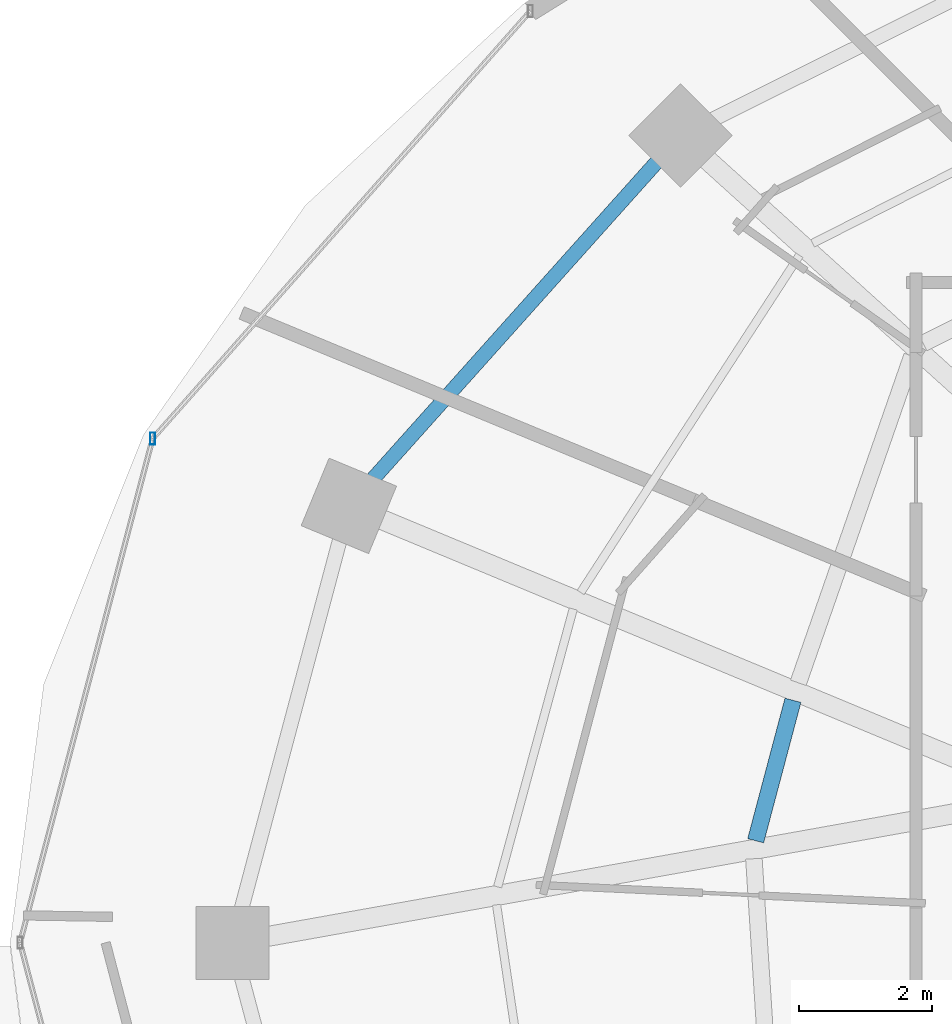
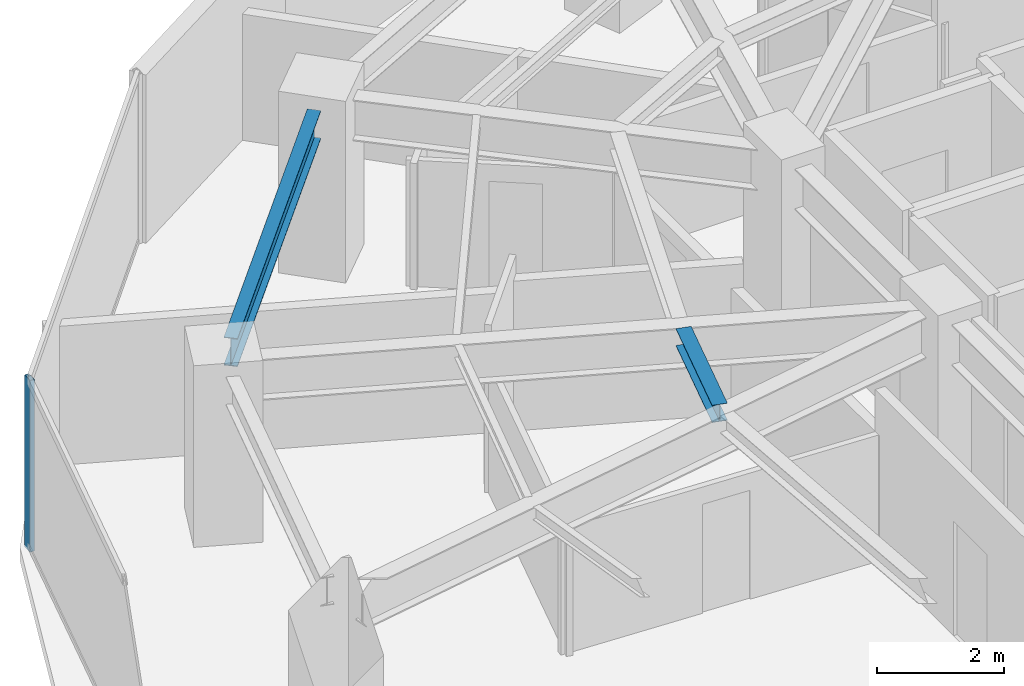
# One storey, part 9 of 31: 2 beams, 1 member, 1 element without a shape of its own.
"""IFC4 building model written with IfcOpenShell, lengths in metres."""

from ifc_helpers import new_model, si_unit, direction, frame, origin, origin_2d, place, context, subcontext, project, spatial, hollow_rectangle, i_section, extrude, material, material_profile, profile_set, type_object, element, aggregate, save


model = new_model("IFC4")

# Units and contexts
model_context = context("Model", 3, precision=1e-05, world=origin(), true_north=direction((0.0, 1.0)))
body_context = subcontext(model_context, "Body", "Model", "MODEL_VIEW")
ifc_project = project(units=[si_unit("LENGTHUNIT", "METRE"), si_unit("AREAUNIT", "SQUARE_METRE"), si_unit("VOLUMEUNIT", "CUBIC_METRE"), si_unit("PLANEANGLEUNIT", "RADIAN"), si_unit("MASSUNIT", "GRAM", prefix="KILO")], contexts=[model_context])

# Site, building, storey
site_placement = place(None, origin())
site = spatial("IfcSite", under=ifc_project, at=site_placement, CompositionType="ELEMENT")
building_placement = place(site_placement, origin())
building = spatial("IfcBuilding", under=site, at=building_placement, Name="Vorneva Point Tower", CompositionType="ELEMENT")
storey_placement = place(building_placement, frame((0.0, 0.0, 99.800048828125)))
storey = spatial("IfcBuildingStorey", under=building, at=storey_placement, Name="L26", CompositionType="ELEMENT", Elevation=99.800048828125)

# Beams
ifc_material_1 = material(Name="Steel S355", Category="steel")
ifc_material_profile_1 = material_profile(ifc_material_1, i_section(OverallWidth=0.2490234375, OverallDepth=0.333984375, WebThickness=0.008056640625, FlangeThickness=0.010986328125, at=origin_2d()), Name="35Sh1")
ifc_profile_set_1 = profile_set([ifc_material_profile_1], Name="Steel S355")
beam_type_1 = type_object("IfcBeamType", Name="BM-SEC-35Sh1", PredefinedType="BEAM", material=ifc_profile_set_1)
beam_1_placement = place(storey_placement, frame((23.39599609375, 29.6533203125, 3.072998046875), z_axis=(-0.256677044588, -0.966497229578, 0.0), x_axis=(0.966497229578, -0.256677044588, 0.0)))
element("IfcBeam", 1, at=beam_1_placement, inside=storey, type_object=beam_type_1, Name="L26 Secondary Floor Beam 2.08", PredefinedType="BEAM", context=body_context, shape_type="SweptSolid", body=[
    extrude(i_section(OverallWidth=0.2490234375, OverallDepth=0.333984375, WebThickness=0.008056640625, FlangeThickness=0.010986328125, at=origin_2d()), origin(), (0.0, 0.0, 1.0), 2.189453125),
])
ifc_material_profile_2 = material_profile(ifc_material_1, i_section(OverallWidth=0.219970703125, OverallDepth=0.54296875, WebThickness=0.009521484375, FlangeThickness=0.013427734375, at=origin_2d()), Name="55B1")
ifc_profile_set_2 = profile_set([ifc_material_profile_2], Name="Steel S355")
beam_type_2 = type_object("IfcBeamType", Name="BM-SPN-55B1", PredefinedType="SPANDREL", material=ifc_profile_set_2)
beam_2_placement = place(storey_placement, frame((21.34423828125, 37.763671875, 2.968505859375), z_axis=(-0.667073815664, -0.744991627105, 0.0), x_axis=(0.744991627105, -0.667073815664, 0.0)))
element("IfcBeam", 2, at=beam_2_placement, inside=storey, type_object=beam_type_2, Name="L26 Perimeter Spandrel Ring Beam 07", PredefinedType="SPANDREL", context=body_context, shape_type="SweptSolid", body=[
    extrude(i_section(OverallWidth=0.219970703125, OverallDepth=0.54296875, WebThickness=0.009521484375, FlangeThickness=0.013427734375, at=origin_2d()), origin(), (0.0, 0.0, 1.0), 6.420166015625),
])

# Curtain wall, member
ifc_material_2 = material(Name="Pale anodised aluminium", Category="aluminium")
curtain_wall_type = type_object("IfcCurtainWallType", Name="CW-HTL-SYS", PredefinedType="NOTDEFINED", material=ifc_material_2)
curtain_wall_placement = place(storey_placement, origin())
curtain_wall = element("IfcCurtainWall", 3, at=curtain_wall_placement, inside=storey, type_object=curtain_wall_type, Name="L26 Unitised Curtain Wall CW-L26-R03", PredefinedType="NOTDEFINED")
ifc_material_profile_3 = material_profile(ifc_material_2, hollow_rectangle(XDim=0.074951171875, YDim=0.179931640625, WallThickness=0.00390625, at=origin_2d()), Name="AL-MUL 180x75x4")
ifc_profile_set_3 = profile_set([ifc_material_profile_3], Name="Pale anodised aluminium")
member_type = type_object("IfcMemberType", Name="CW-MUL-180", PredefinedType="MULLION", material=ifc_profile_set_3)
member_placement = place(storey_placement, frame((13.748291015625, 33.59619140625, -0.0400390625), z_axis=(0.0, 0.0, 1.0), x_axis=(1.0, 0.0, 0.0)))
member = element("IfcMember", 4, at=member_placement, type_object=member_type, Name="CW-L26-R03 Mullion 02", PredefinedType="MULLION", context=body_context, shape_type="SweptSolid", body=[
    extrude(hollow_rectangle(XDim=0.074951171875, YDim=0.179931640625, WallThickness=0.00390625, at=origin_2d()), origin(), (0.0, 0.0, 1.0), 3.31005859375),
])
aggregate(curtain_wall, [member])

save(model, "model.ifc")
